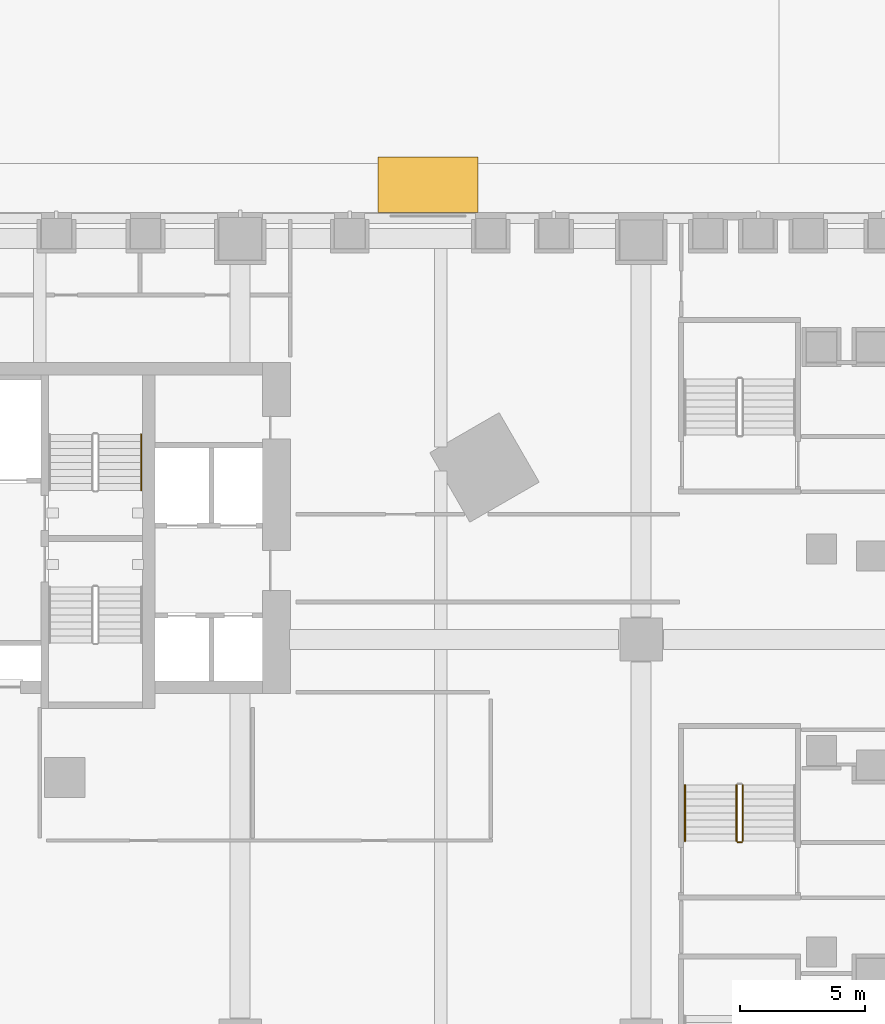
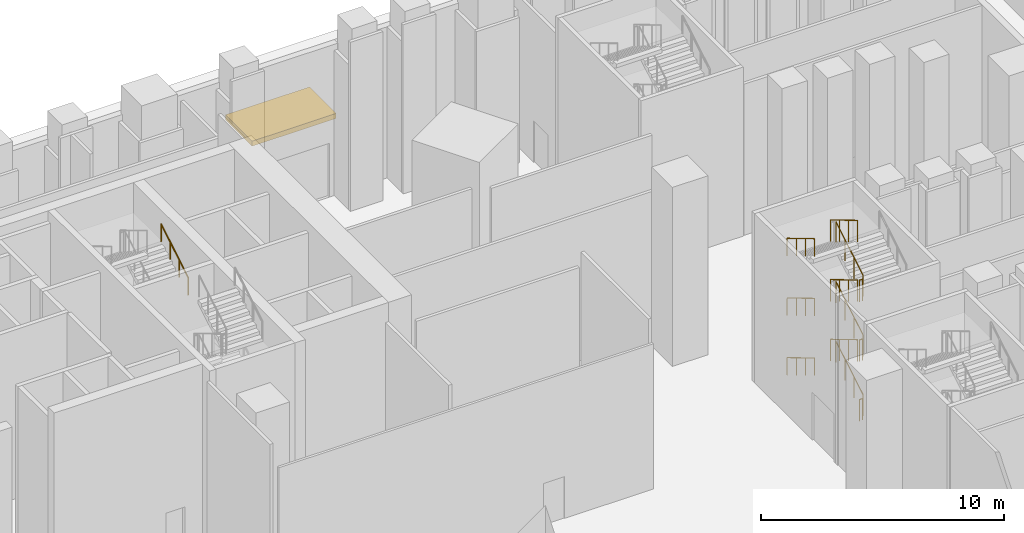
# One storey, part 48 of 51: 13 railings, 1 shading device.
"""IFC4 building model written with IfcOpenShell, lengths in metres."""

from ifc_helpers import new_model, si_unit, direction, frame, origin, origin_2d, place, context, subcontext, project, spatial, rectangle, circle, extrude, material, layer, layer_set, type_object, element, save


model = new_model("IFC4")

# Units and contexts
model_context = context("Model", 3, precision=1e-05, world=origin(), true_north=direction((0.0, 1.0)))
body_context = subcontext(model_context, "Body", "Model", "MODEL_VIEW")
ifc_project = project(units=[si_unit("LENGTHUNIT", "METRE"), si_unit("AREAUNIT", "SQUARE_METRE"), si_unit("VOLUMEUNIT", "CUBIC_METRE"), si_unit("PLANEANGLEUNIT", "RADIAN"), si_unit("MASSUNIT", "GRAM", prefix="KILO")], contexts=[model_context])

# Site, building, storey
site_placement = place(None, origin())
site = spatial("IfcSite", under=ifc_project, at=site_placement, CompositionType="ELEMENT")
building_placement = place(site_placement, origin())
building = spatial("IfcBuilding", under=site, at=building_placement, Name="Calabash Gate Tower", CompositionType="ELEMENT")
storey_placement = place(building_placement, origin())
storey = spatial("IfcBuildingStorey", under=building, at=storey_placement, Name="L00", CompositionType="ELEMENT", Elevation=0.0)

# Shading device
ifc_material_1 = material(Name="Steel framed canopy with laminated glass", Category="steel")
ifc_layer = layer(ifc_material_1, 0.25)
ifc_layer_set = layer_set([ifc_layer], Name="Entrance canopy 250")
shading_device_type = type_object("IfcShadingDeviceType", Name="Entrance canopy 250", PredefinedType="AWNING", material=ifc_layer_set)
shading_device_placement = place(storey_placement, frame((23.49609375, 26.14990234375, 3.60009765625), z_axis=(0.0, 0.0, 1.0), x_axis=(-1.0, 0.0, 0.0)))
element("IfcShadingDevice", 1, at=shading_device_placement, inside=storey, type_object=shading_device_type, Name="Entrance canopy 17", PredefinedType="AWNING", context=body_context, shape_type="SweptSolid", body=[
    extrude(rectangle(XDim=4.0, YDim=2.199951171875, at=origin_2d()), origin(), (0.0, 0.0, 1.0), 0.25),
])

# Railings
ifc_material_2 = material(Name="Black powder-coated steel balusters", Category="steel")
railing_type_1 = type_object("IfcRailingType", Name="Stair guard RL1100", PredefinedType="GUARDRAIL", material=ifc_material_2)
railing_1_placement = place(storey_placement, frame((36.06005859375, -0.0400390625, 0.166748046875)))
element("IfcRailing", 2, at=railing_1_placement, inside=storey, type_object=railing_type_1, Name="L00 PS9 stair guard 1", PredefinedType="GUARDRAIL", context=body_context, shape_type="SweptSolid", body=[
    extrude(circle(Radius=0.02392578125, at=origin_2d()), frame((0.0, 0.0, 1.076171875), z_axis=(0.0, 0.858493888361, 0.512823793955), x_axis=(-1.0, 0.0, 0.0)), (0.0, 0.0, 1.0), 2.599853515625),
    extrude(circle(Radius=0.02099609375, at=origin_2d()), origin(), (0.0, 0.0, 1.0), 1.052001953125),
    extrude(circle(Radius=0.02099609375, at=origin_2d()), frame((0.0, 0.743896484375, 0.4443359375)), (0.0, 0.0, 1.0), 1.052001953125),
    extrude(circle(Radius=0.02099609375, at=origin_2d()), frame((0.0, 1.488037109375, 0.888916015625)), (0.0, 0.0, 1.0), 1.052001953125),
    extrude(circle(Radius=0.02099609375, at=origin_2d()), frame((0.0, 2.23193359375, 1.333251953125)), (0.0, 0.0, 1.0), 1.052001953125),
])
railing_2_placement = place(storey_placement, frame((35.81005859375, 2.19189453125, 1.666748046875)))
element("IfcRailing", 3, at=railing_2_placement, inside=storey, type_object=railing_type_1, Name="L00 PS9 stair guard 3", PredefinedType="GUARDRAIL", context=body_context, shape_type="SweptSolid", body=[
    extrude(circle(Radius=0.02392578125, at=origin_2d()), frame((0.0, 0.0, 1.076171875), z_axis=(0.0, -0.858493888361, 0.512823793955), x_axis=(1.0, 0.0, 0.0)), (0.0, 0.0, 1.0), 2.599853515625),
    extrude(circle(Radius=0.02099609375, at=origin_2d()), origin(), (0.0, 0.0, 1.0), 1.052001953125),
    extrude(circle(Radius=0.02099609375, at=origin_2d()), frame((0.0, -0.743896484375, 0.4443359375)), (0.0, 0.0, 1.0), 1.052001953125),
    extrude(circle(Radius=0.02099609375, at=origin_2d()), frame((0.0, -1.488037109375, 0.888916015625)), (0.0, 0.0, 1.0), 1.052001953125),
    extrude(circle(Radius=0.02099609375, at=origin_2d()), frame((0.0, -2.23193359375, 1.333251953125)), (0.0, 0.0, 1.0), 1.052001953125),
])
railing_3_placement = place(storey_placement, frame((36.010009765625, -0.090087890625, 3.0)))
element("IfcRailing", 4, at=railing_3_placement, inside=storey, type_object=railing_type_1, Name="L00 PS9 stair guard 4", PredefinedType="GUARDRAIL", context=body_context, shape_type="SweptSolid", body=[
    extrude(circle(Radius=0.02392578125, at=origin_2d()), frame((0.0, 0.0, 1.076171875), z_axis=(-1.0, 0.0, 0.0), x_axis=(0.0, -1.0, 0.0)), (0.0, 0.0, 1.0), 0.14990234375),
    extrude(circle(Radius=0.02099609375, at=origin_2d()), origin(), (0.0, 0.0, 1.0), 1.052001953125),
    extrude(circle(Radius=0.02099609375, at=origin_2d()), frame((-0.14990234375, 0.0, 0.0)), (0.0, 0.0, 1.0), 1.052001953125),
])
railing_4_placement = place(storey_placement, frame((36.06005859375, -0.0400390625, 3.166748046875)))
element("IfcRailing", 5, at=railing_4_placement, inside=storey, type_object=railing_type_1, Name="L00 PS9 stair guard 5", PredefinedType="GUARDRAIL", context=body_context, shape_type="SweptSolid", body=[
    extrude(circle(Radius=0.02392578125, at=origin_2d()), frame((0.0, 0.0, 1.076171875), z_axis=(0.0, 0.858493888361, 0.512823793955), x_axis=(-1.0, 0.0, 0.0)), (0.0, 0.0, 1.0), 2.599853515625),
    extrude(circle(Radius=0.02099609375, at=origin_2d()), origin(), (0.0, 0.0, 1.0), 1.052001953125),
    extrude(circle(Radius=0.02099609375, at=origin_2d()), frame((0.0, 0.743896484375, 0.4443359375)), (0.0, 0.0, 1.0), 1.052001953125),
    extrude(circle(Radius=0.02099609375, at=origin_2d()), frame((0.0, 1.488037109375, 0.888916015625)), (0.0, 0.0, 1.0), 1.052001953125),
    extrude(circle(Radius=0.02099609375, at=origin_2d()), frame((0.0, 2.23193359375, 1.333251953125)), (0.0, 0.0, 1.0), 1.052001953125),
])
railing_5_placement = place(storey_placement, frame((35.81005859375, 2.19189453125, 4.666748046875)))
element("IfcRailing", 6, at=railing_5_placement, inside=storey, type_object=railing_type_1, Name="L00 PS9 stair guard 7", PredefinedType="GUARDRAIL", context=body_context, shape_type="SweptSolid", body=[
    extrude(circle(Radius=0.02392578125, at=origin_2d()), frame((0.0, 0.0, 1.076171875), z_axis=(0.0, -0.858493888361, 0.512823793955), x_axis=(1.0, 0.0, 0.0)), (0.0, 0.0, 1.0), 2.599853515625),
    extrude(circle(Radius=0.02099609375, at=origin_2d()), origin(), (0.0, 0.0, 1.0), 1.052001953125),
    extrude(circle(Radius=0.02099609375, at=origin_2d()), frame((0.0, -0.743896484375, 0.4443359375)), (0.0, 0.0, 1.0), 1.052001953125),
    extrude(circle(Radius=0.02099609375, at=origin_2d()), frame((0.0, -1.488037109375, 0.888916015625)), (0.0, 0.0, 1.0), 1.052001953125),
    extrude(circle(Radius=0.02099609375, at=origin_2d()), frame((0.0, -2.23193359375, 1.333251953125)), (0.0, 0.0, 1.0), 1.052001953125),
])
railing_6_placement = place(storey_placement, frame((36.010009765625, -0.090087890625, 6.0)))
element("IfcRailing", 7, at=railing_6_placement, inside=storey, type_object=railing_type_1, Name="L00 PS9 stair guard 8", PredefinedType="GUARDRAIL", context=body_context, shape_type="SweptSolid", body=[
    extrude(circle(Radius=0.02392578125, at=origin_2d()), frame((0.0, 0.0, 1.076171875), z_axis=(-1.0, 0.0, 0.0), x_axis=(0.0, -1.0, 0.0)), (0.0, 0.0, 1.0), 0.14990234375),
    extrude(circle(Radius=0.02099609375, at=origin_2d()), origin(), (0.0, 0.0, 1.0), 1.052001953125),
    extrude(circle(Radius=0.02099609375, at=origin_2d()), frame((-0.14990234375, 0.0, 0.0)), (0.0, 0.0, 1.0), 1.052001953125),
])
railing_7_placement = place(storey_placement, frame((36.06005859375, -0.0400390625, 6.166748046875)))
element("IfcRailing", 8, at=railing_7_placement, inside=storey, type_object=railing_type_1, Name="L00 PS9 stair guard 9", PredefinedType="GUARDRAIL", context=body_context, shape_type="SweptSolid", body=[
    extrude(circle(Radius=0.02392578125, at=origin_2d()), frame((0.0, 0.0, 1.076171875), z_axis=(0.0, 0.858493888361, 0.512823793955), x_axis=(-1.0, 0.0, 0.0)), (0.0, 0.0, 1.0), 2.599853515625),
    extrude(circle(Radius=0.02099609375, at=origin_2d()), origin(), (0.0, 0.0, 1.0), 1.052001953125),
    extrude(circle(Radius=0.02099609375, at=origin_2d()), frame((0.0, 0.743896484375, 0.4443359375)), (0.0, 0.0, 1.0), 1.052001953125),
    extrude(circle(Radius=0.02099609375, at=origin_2d()), frame((0.0, 1.488037109375, 0.888916015625)), (0.0, 0.0, 1.0), 1.052001953125),
    extrude(circle(Radius=0.02099609375, at=origin_2d()), frame((0.0, 2.23193359375, 1.333251953125)), (0.0, 0.0, 1.0), 1.052001953125),
])
railing_8_placement = place(storey_placement, frame((35.81005859375, 2.19189453125, 7.666748046875)))
element("IfcRailing", 9, at=railing_8_placement, inside=storey, type_object=railing_type_1, Name="L00 PS9 stair guard 11", PredefinedType="GUARDRAIL", context=body_context, shape_type="SweptSolid", body=[
    extrude(circle(Radius=0.02392578125, at=origin_2d()), frame((0.0, 0.0, 1.076171875), z_axis=(0.0, -0.858493888361, 0.512823793955), x_axis=(1.0, 0.0, 0.0)), (0.0, 0.0, 1.0), 2.599853515625),
    extrude(circle(Radius=0.02099609375, at=origin_2d()), origin(), (0.0, 0.0, 1.0), 1.052001953125),
    extrude(circle(Radius=0.02099609375, at=origin_2d()), frame((0.0, -0.743896484375, 0.4443359375)), (0.0, 0.0, 1.0), 1.052001953125),
    extrude(circle(Radius=0.02099609375, at=origin_2d()), frame((0.0, -1.488037109375, 0.888916015625)), (0.0, 0.0, 1.0), 1.052001953125),
    extrude(circle(Radius=0.02099609375, at=origin_2d()), frame((0.0, -2.23193359375, 1.333251953125)), (0.0, 0.0, 1.0), 1.052001953125),
])
railing_9_placement = place(storey_placement, frame((36.010009765625, -0.090087890625, 0.0)))
element("IfcRailing", 10, at=railing_9_placement, inside=storey, type_object=railing_type_1, Name="L00 PS9 stair guard 12", PredefinedType="GUARDRAIL", context=body_context, shape_type="SweptSolid", body=[
    extrude(circle(Radius=0.02392578125, at=origin_2d()), frame((0.0, 0.0, 1.076171875), z_axis=(-1.0, 0.0, 0.0), x_axis=(0.0, -1.0, 0.0)), (0.0, 0.0, 1.0), 0.14990234375),
    extrude(circle(Radius=0.02099609375, at=origin_2d()), origin(), (0.0, 0.0, 1.0), 1.052001953125),
    extrude(circle(Radius=0.02099609375, at=origin_2d()), frame((-0.14990234375, 0.0, 0.0)), (0.0, 0.0, 1.0), 1.052001953125),
])
ifc_material_3 = material(Name="Black powder-coated steel tube 48 mm", Category="steel")
railing_type_2 = type_object("IfcRailingType", Name="Stair handrail RL900", PredefinedType="HANDRAIL", material=ifc_material_3)
railing_10_placement = place(storey_placement, frame((12.050048828125, 13.95263671875, 6.166748046875)))
element("IfcRailing", 11, at=railing_10_placement, inside=storey, type_object=railing_type_2, Name="L00 ST3 stair handrail 5", PredefinedType="HANDRAIL", context=body_context, shape_type="SweptSolid", body=[
    extrude(circle(Radius=0.02392578125, at=origin_2d()), frame((0.0, 0.0, 0.8759765625), z_axis=(0.0, 0.858493888361, 0.512823793955), x_axis=(-1.0, 0.0, 0.0)), (0.0, 0.0, 1.0), 2.599853515625),
    extrude(circle(Radius=0.02099609375, at=origin_2d()), origin(), (0.0, 0.0, 1.0), 0.851806640625),
    extrude(circle(Radius=0.02099609375, at=origin_2d()), frame((0.0, 0.743896484375, 0.4443359375)), (0.0, 0.0, 1.0), 0.851806640625),
    extrude(circle(Radius=0.02099609375, at=origin_2d()), frame((0.0, 1.488037109375, 0.888916015625)), (0.0, 0.0, 1.0), 0.851806640625),
    extrude(circle(Radius=0.02099609375, at=origin_2d()), frame((0.0, 2.23193359375, 1.333251953125)), (0.0, 0.0, 1.0), 0.851806640625),
])
for number, where, name in (
    (12, (33.75, 2.19189453125, 1.666748046875), "L00 PS9 stair handrail 2"),
    (13, (33.75, 2.19189453125, 4.666748046875), "L00 PS9 stair handrail 4"),
    (14, (33.75, 2.19189453125, 7.666748046875), "L00 PS9 stair handrail 6"),
):
    element("IfcRailing", number, at=place(storey_placement, frame(where)), inside=storey, type_object=railing_type_2, Name=name, PredefinedType="HANDRAIL", context=body_context, shape_type="SweptSolid", body=[
        extrude(circle(Radius=0.02392578125, at=origin_2d()), frame((0.0, 0.0, 0.8759765625), z_axis=(0.0, -0.858493888361, 0.512823793955), x_axis=(1.0, 0.0, 0.0)), (0.0, 0.0, 1.0), 2.599853515625),
        extrude(circle(Radius=0.02099609375, at=origin_2d()), origin(), (0.0, 0.0, 1.0), 0.851806640625),
        extrude(circle(Radius=0.02099609375, at=origin_2d()), frame((0.0, -0.743896484375, 0.4443359375)), (0.0, 0.0, 1.0), 0.851806640625),
        extrude(circle(Radius=0.02099609375, at=origin_2d()), frame((0.0, -1.488037109375, 0.888916015625)), (0.0, 0.0, 1.0), 0.851806640625),
        extrude(circle(Radius=0.02099609375, at=origin_2d()), frame((0.0, -2.23193359375, 1.333251953125)), (0.0, 0.0, 1.0), 0.851806640625),
    ])

save(model, "model.ifc")
